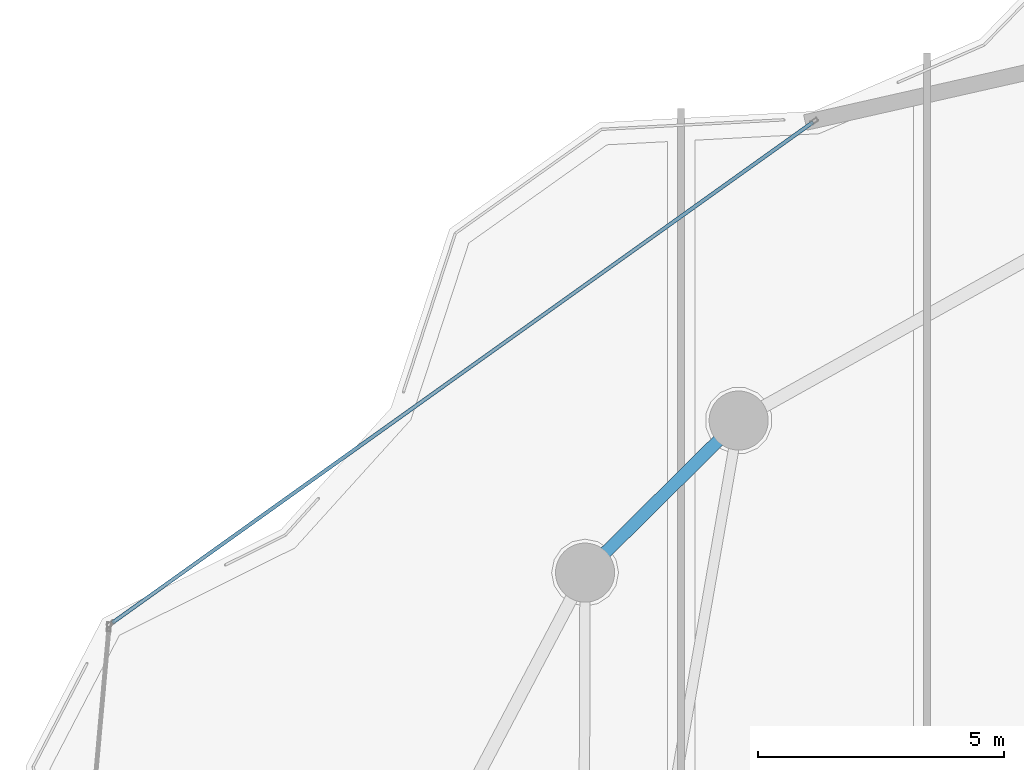
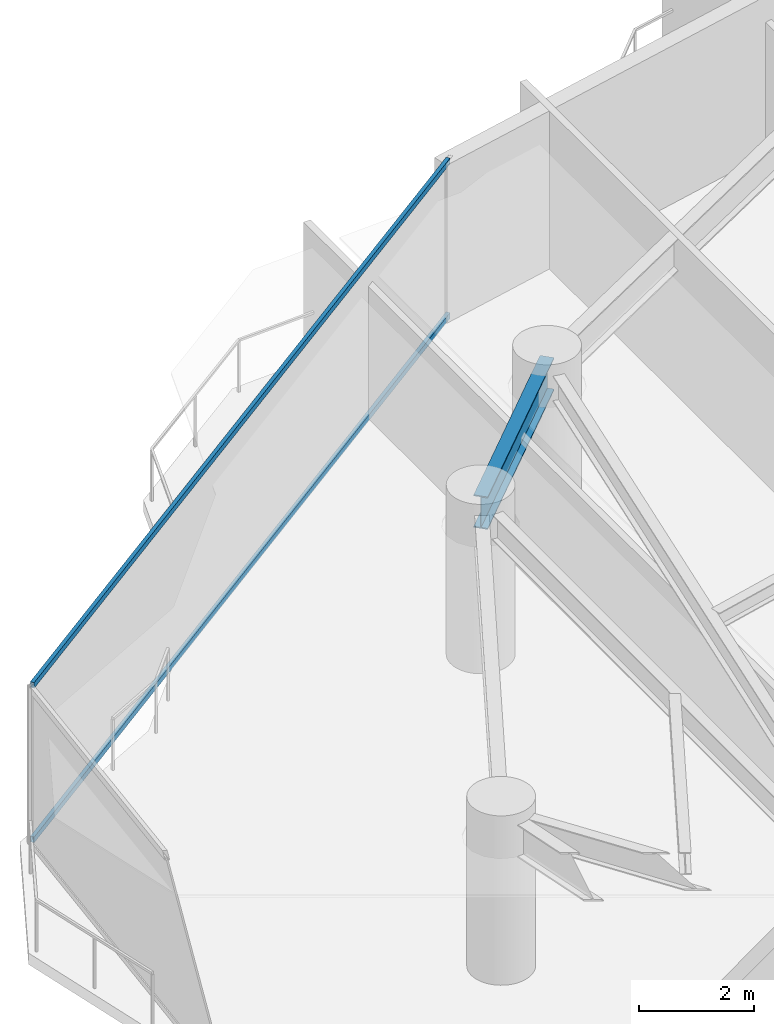
# One storey, part 18 of 33: 2 members, 1 beam, 1 element without a shape of its own.
"""IFC4 building model written with IfcOpenShell, lengths in metres."""

import ifcopenshell
import ifcopenshell.guid

model = None  # the IFC model being written
_history = None  # IfcOwnerHistory: only IFC2X3 demands one
_inside = {}  # id of a spatial element -> (the spatial element, [elements in it])
_under = {}  # id of a project, library or spatial element -> (it, [spatial elements below it])
_declared = {}  # id of a project -> (the project, [libraries it declares])
_typed = {}  # id of a type object -> (the type object, [elements of that type])
_made_of = {}  # id of a material, layer set ... -> (it, [elements and type objects made of it])


def new_model(schema):
    """Start an empty IFC model of exactly this schema.

    Asked for "IFC4X3", IfcOpenShell would pick the latest addendum, in which some entities
    have other attributes; the version numbers below select the first issue.
    IFC2X3 requires an IfcOwnerHistory on every rooted entity: one is made here for all.
    """
    global model, _history
    if schema == "IFC4X3":
        model = ifcopenshell.file(schema_version=(4, 3, 0, 0))
    else:
        model = ifcopenshell.file(schema=schema)
    _inside.clear()
    _under.clear()
    _declared.clear()
    _typed.clear()
    _made_of.clear()
    _history = None
    if model.schema == "IFC2X3":
        org = make("IfcOrganization", Name="unknown")
        user = make(
            "IfcPersonAndOrganization",
            ThePerson=make("IfcPerson", FamilyName="unknown"),
            TheOrganization=org,
        )
        app = make(
            "IfcApplication",
            ApplicationDeveloper=org,
            Version="unknown",
            ApplicationFullName="unknown",
            ApplicationIdentifier="unknown",
        )
        _history = make(
            "IfcOwnerHistory",
            OwningUser=user,
            OwningApplication=app,
            ChangeAction="ADDED",
            CreationDate=0,
        )
    return model


def make(cls, **values):
    """One entity of the class cls with the attributes given. An attribute that is None is left unset."""
    return model.create_entity(
        cls, **{name: value for name, value in values.items() if value is not None}
    )


def rooted(cls, **values):
    """An entity with a GlobalId (a new one), such as an element, a storey or a relation."""
    return make(cls, GlobalId=ifcopenshell.guid.new(), OwnerHistory=_history, **values)


def si_unit(unit_type, name, prefix=None):
    """IfcSIUnit, for example si_unit("LENGTHUNIT", "METRE", prefix="MILLI")."""
    return make("IfcSIUnit", UnitType=unit_type, Prefix=prefix, Name=name)


def assignment(units):
    """IfcUnitAssignment: the units of a project."""
    return None if units is None else make("IfcUnitAssignment", Units=units)


def point(xyz):
    """IfcCartesianPoint."""
    return None if xyz is None else make("IfcCartesianPoint", Coordinates=xyz)


def direction(xyz):
    """IfcDirection."""
    return None if xyz is None else make("IfcDirection", DirectionRatios=xyz)


def frame(location, z_axis=None, x_axis=None):
    """IfcAxis2Placement3D, a coordinate frame: its origin and axes. An axis left out is left unset."""
    return make(
        "IfcAxis2Placement3D",
        Location=point(location),
        Axis=direction(z_axis),
        RefDirection=direction(x_axis),
    )


def frame_2d(location, x_axis=None):
    """IfcAxis2Placement2D, a coordinate frame in the plane: its origin and x axis."""
    return make(
        "IfcAxis2Placement2D", Location=point(location), RefDirection=direction(x_axis)
    )


def origin():
    """The frame at (0, 0, 0) with its axes left unset."""
    return frame((0.0, 0.0, 0.0))


def origin_2d():
    """The frame at (0, 0) in the plane with its x axis left unset."""
    return frame_2d((0.0, 0.0))


def place(relative_to, where):
    """IfcLocalPlacement: puts the frame where relative to a parent placement (None: the world)."""
    return make(
        "IfcLocalPlacement", PlacementRelTo=relative_to, RelativePlacement=where
    )


def context(
    kind, dimensions, precision=None, world=None, true_north=None, identifier=None
):
    """IfcGeometricRepresentationContext, for example the 3D "Model" context."""
    return make(
        "IfcGeometricRepresentationContext",
        ContextIdentifier=identifier,
        ContextType=kind,
        CoordinateSpaceDimension=dimensions,
        Precision=precision,
        WorldCoordinateSystem=world,
        TrueNorth=true_north,
    )


def subcontext(parent, identifier, kind, view, scale=None):
    """IfcGeometricRepresentationSubContext, for example "Body" below "Model"."""
    return make(
        "IfcGeometricRepresentationSubContext",
        ContextIdentifier=identifier,
        ContextType=kind,
        ParentContext=parent,
        TargetScale=scale,
        TargetView=view,
    )


def project(units=None, contexts=None):
    """IfcProject with its units and contexts."""
    return rooted(
        "IfcProject",
        Name="project",
        RepresentationContexts=contexts,
        UnitsInContext=assignment(units),
    )


def spatial(cls, under=None, at=None, **own):
    """A site, building, storey or space (cls), placed at a placement, below another one or the project."""
    s = rooted(cls, ObjectPlacement=at, **own)
    if under is not None:
        _under.setdefault(under.id(), (under, []))[1].append(s)
    return s


def profile(cls, at=None, kind="AREA", **sizes):
    """A parametric profile (cls). Its sizes go by their IFC names, for example OverallWidth=200.0."""
    return make(cls, ProfileType=kind, Position=at, **sizes)


def hollow_rectangle(**sizes):
    """IfcRectangleHollowProfileDef."""
    return profile("IfcRectangleHollowProfileDef", **sizes)


def i_section(**sizes):
    """IfcIShapeProfileDef."""
    return profile("IfcIShapeProfileDef", **sizes)


def extrude(swept, where, along, depth):
    """IfcExtrudedAreaSolid: the profile swept, set in the frame where, extruded along a direction by depth."""
    return make(
        "IfcExtrudedAreaSolid",
        SweptArea=swept,
        Position=where,
        ExtrudedDirection=direction(along),
        Depth=depth,
    )


def shape(context_of_items, identifier, shape_type, items):
    """IfcShapeRepresentation: the items that make up one representation, for example the "Body"."""
    return make(
        "IfcShapeRepresentation",
        ContextOfItems=context_of_items,
        RepresentationIdentifier=identifier,
        RepresentationType=shape_type,
        Items=items,
    )


def material(Name=None, Category=None):
    """IfcMaterial."""
    return make("IfcMaterial", Name=Name, Category=Category)


def layer(
    of_material, thickness, ventilated=None, Name=None, Category=None, Priority=None
):
    """IfcMaterialLayer: one layer of a wall or slab, of a material (None: an air gap)."""
    return make(
        "IfcMaterialLayer",
        Material=of_material,
        LayerThickness=thickness,
        IsVentilated=ventilated,
        Name=Name,
        Category=Category,
        Priority=Priority,
    )


def layer_set(layers, Name=None):
    """IfcMaterialLayerSet."""
    return make("IfcMaterialLayerSet", MaterialLayers=layers, LayerSetName=Name)


def material_profile(
    of_material, cross_section, Name=None, Category=None, Priority=None
):
    """IfcMaterialProfile: a cross section and its material."""
    return make(
        "IfcMaterialProfile",
        Name=Name,
        Material=of_material,
        Profile=cross_section,
        Priority=Priority,
        Category=Category,
    )


def profile_set(profiles, Name=None, composite=None):
    """IfcMaterialProfileSet."""
    return make(
        "IfcMaterialProfileSet",
        Name=Name,
        MaterialProfiles=profiles,
        CompositeProfile=composite,
    )


def made_of(thing, what):
    """Note that an element or type object is made of a material, layer set ...; save() writes the relation."""
    if what is not None:
        _made_of.setdefault(what.id(), (what, []))[1].append(thing)
    return thing


def type_object(cls, material=None, **own):
    """A type object (cls), such as IfcWallType, which elements share."""
    return made_of(rooted(cls, **own), material)


def element(
    cls,
    number,
    at=None,
    inside=None,
    cuts=None,
    type_object=None,
    material=None,
    context=None,
    identifier="Body",
    shape_type=None,
    held_by="IfcProductDefinitionShape",
    body=None,
    shapes=None,
    **own,
):
    """One element of the class cls, such as IfcWall. Its Tag is "e" and its number.

    at: its placement. inside: the storey or other place that contains it. cuts: it is an
    opening in that element (IfcRelVoidsElement). A single representation is given by context,
    identifier, shape_type and body (its items); several are given by shapes. held_by: the class
    of the entity that holds the representations. save() writes the other relations.
    """
    e = rooted(cls, Tag="e%d" % number, ObjectPlacement=at, **own)
    if body is not None:
        shapes = [shape(context, identifier, shape_type, body)]
    if shapes is not None:
        e.Representation = make(held_by, Representations=shapes)
    if inside is not None:
        _inside.setdefault(inside.id(), (inside, []))[1].append(e)
    if cuts is not None:
        rooted(
            "IfcRelVoidsElement", RelatingBuildingElement=cuts, RelatedOpeningElement=e
        )
    if type_object is not None:
        _typed.setdefault(type_object.id(), (type_object, []))[1].append(e)
    return made_of(e, material)


def aggregate(whole, parts):
    """IfcRelAggregates: a whole, such as a stair, and the parts it consists of."""
    return rooted("IfcRelAggregates", RelatingObject=whole, RelatedObjects=parts)


def save(model, path):
    """Write the relations noted so far, then the file.

    IfcRelAggregates (storeys below a building ...), IfcRelContainedInSpatialStructure (elements
    in a storey), IfcRelDefinesByType, IfcRelAssociatesMaterial and IfcRelDeclares: one each for
    every whole, place, type object, material and project.
    """
    for whole, parts in _under.values():
        aggregate(whole, parts)
    for where, things in _inside.values():
        rooted(
            "IfcRelContainedInSpatialStructure",
            RelatedElements=things,
            RelatingStructure=where,
        )
    for kind, things in _typed.values():
        rooted("IfcRelDefinesByType", RelatedObjects=things, RelatingType=kind)
    for what, things in _made_of.values():
        rooted("IfcRelAssociatesMaterial", RelatedObjects=things, RelatingMaterial=what)
    for by, libraries in _declared.values():
        rooted("IfcRelDeclares", RelatingContext=by, RelatedDefinitions=libraries)
    model.write(path)


model = new_model("IFC4")

# Units and contexts
model_context = context("Model", 3, precision=1e-05, world=origin(), true_north=direction((0.0, 1.0)))
body_context = subcontext(model_context, "Body", "Model", "MODEL_VIEW")
ifc_project = project(units=[si_unit("LENGTHUNIT", "METRE"), si_unit("AREAUNIT", "SQUARE_METRE"), si_unit("VOLUMEUNIT", "CUBIC_METRE"), si_unit("PLANEANGLEUNIT", "RADIAN"), si_unit("MASSUNIT", "GRAM", prefix="KILO")], contexts=[model_context])

# Site, building, storey
site_placement = place(None, origin())
site = spatial("IfcSite", under=ifc_project, at=site_placement, CompositionType="ELEMENT")
building_placement = place(site_placement, origin())
building = spatial("IfcBuilding", under=site, at=building_placement, Name="Kazevale Care Tower and Concert Hall", CompositionType="ELEMENT")
storey_placement = place(building_placement, frame((0.0, 0.0, 153.0)))
storey = spatial("IfcBuildingStorey", under=building, at=storey_placement, Name="L40", CompositionType="ELEMENT", Elevation=153.0)

# Curtain wall, members
ifc_material_1 = material(Name="Aluminium 6063-T6 and Low-E Glass", Category="aluminium")
ifc_layer = layer(ifc_material_1, 0.179931640625)
ifc_layer_set = layer_set([ifc_layer], Name="Aluminium 6063-T6 and Low-E Glass")
curtain_wall_type = type_object("IfcCurtainWallType", Name="Convex Recessed Sunroom Curtain Wall CW-3", PredefinedType="NOTDEFINED", material=ifc_layer_set)
curtain_wall_placement = place(storey_placement, origin())
curtain_wall = element("IfcCurtainWall", 1, at=curtain_wall_placement, inside=storey, type_object=curtain_wall_type, Name="cw:L40:f14", PredefinedType="NOTDEFINED")
ifc_material_2 = material(Name="Aluminium 6063-T6", Category="aluminium")
ifc_material_profile_1 = material_profile(ifc_material_2, hollow_rectangle(XDim=0.074951171875, YDim=0.1201171875, WallThickness=0.00390625, at=origin_2d()), Name="ALU75x120x4")
ifc_profile_set_1 = profile_set([ifc_material_profile_1], Name="Aluminium 6063-T6")
member_type = type_object("IfcMemberType", Name="CW-3 Transom ALU75x120x4", PredefinedType="USERDEFINED", material=ifc_profile_set_1)
member_1_placement = place(storey_placement, frame((12.443115234375, 50.469482421875, 0.03759765625), z_axis=(0.813667466523, 0.581330589185, 0.0), x_axis=(-0.581330589185, 0.813667466523, 0.0)))
member_1 = element("IfcMember", 2, at=member_1_placement, type_object=member_type, Name="CW-3 transom 1.1", ObjectType="TRANSOM", PredefinedType="USERDEFINED", context=body_context, shape_type="SweptSolid", body=[
    extrude(hollow_rectangle(XDim=0.074951171875, YDim=0.1201171875, WallThickness=0.00390625, at=origin_2d()), origin(), (0.0, 0.0, 1.0), 17.495849609375),
])
member_2_placement = place(storey_placement, frame((12.443115234375, 50.469482421875, 3.322509765625), z_axis=(0.813667466523, 0.581330589185, 0.0), x_axis=(-0.581330589185, 0.813667466523, 0.0)))
member_2 = element("IfcMember", 3, at=member_2_placement, type_object=member_type, Name="CW-3 transom 1.2", ObjectType="TRANSOM", PredefinedType="USERDEFINED", context=body_context, shape_type="SweptSolid", body=[
    extrude(hollow_rectangle(XDim=0.074951171875, YDim=0.1201171875, WallThickness=0.00390625, at=origin_2d()), origin(), (0.0, 0.0, 1.0), 17.495849609375),
])
aggregate(curtain_wall, [member_1, member_2])

# Beam
ifc_material_3 = material(Name="Steel ASTM A572 Gr 50", Category="steel")
ifc_material_profile_2 = material_profile(ifc_material_3, i_section(OverallWidth=0.256103515625, OverallDepth=0.693115234375, WebThickness=0.014404296875, FlangeThickness=0.023681640625, at=origin_2d()), Name="W690x170")
ifc_profile_set_2 = profile_set([ifc_material_profile_2], Name="Steel ASTM A572 Gr 50")
beam_type = type_object("IfcBeamType", Name="Waist Ring Beam W690x170", PredefinedType="BEAM", material=ifc_profile_set_2)
beam_placement = place(storey_placement, frame((25.169921875, 54.580078125, 3.013427734375), z_axis=(-0.710490141585, -0.703707154085, 0.0), x_axis=(0.703707154085, -0.710490141585, 0.0)))
element("IfcBeam", 4, at=beam_placement, inside=storey, type_object=beam_type, Name="beam:L40:ring:07", PredefinedType="BEAM", context=body_context, shape_type="SweptSolid", body=[
    extrude(i_section(OverallWidth=0.256103515625, OverallDepth=0.693115234375, WebThickness=0.014404296875, FlangeThickness=0.023681640625, at=origin_2d()), origin(), (0.0, 0.0, 1.0), 4.39111328125),
])

save(model, "model.ifc")
